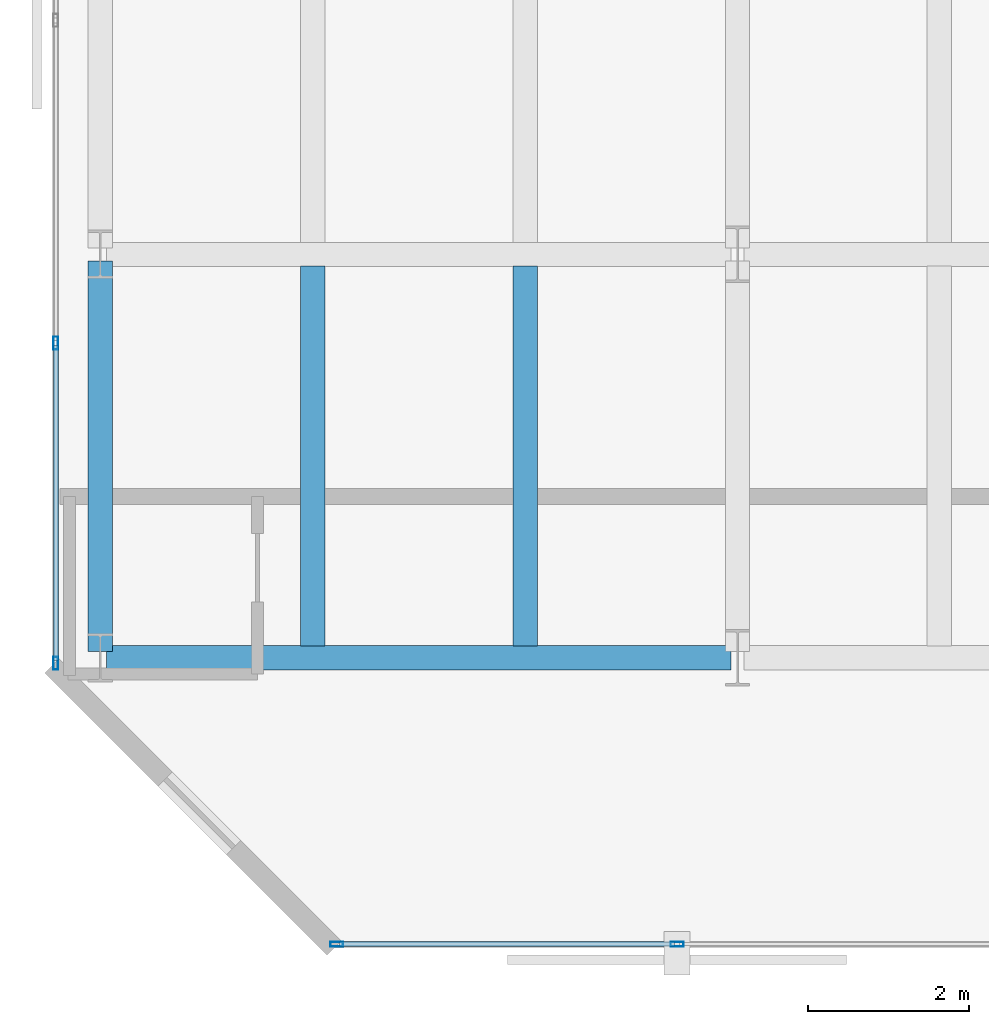
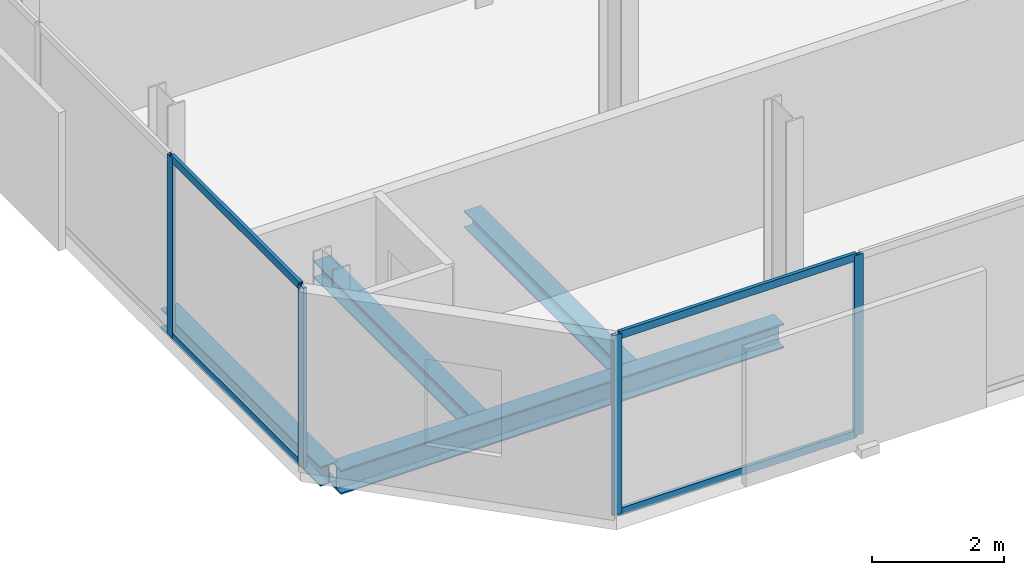
# One storey, part 3 of 32: 8 members, 4 beams, 2 elements without a shape of their own.
"""IFC4 building model written with IfcOpenShell, lengths in metres."""

from ifc_helpers import new_model, si_unit, direction, frame, origin, origin_2d, place, context, subcontext, project, spatial, hollow_rectangle, i_section, extrude, material, layer, layer_set, material_profile, profile_set, type_object, element, aggregate, save


model = new_model("IFC4")

# Units and contexts
model_context = context("Model", 3, precision=1e-05, world=origin(), true_north=direction((0.0, 1.0)))
body_context = subcontext(model_context, "Body", "Model", "MODEL_VIEW")
ifc_project = project(units=[si_unit("LENGTHUNIT", "METRE"), si_unit("AREAUNIT", "SQUARE_METRE"), si_unit("VOLUMEUNIT", "CUBIC_METRE"), si_unit("PLANEANGLEUNIT", "RADIAN"), si_unit("MASSUNIT", "GRAM", prefix="KILO")], contexts=[model_context])

# Site, building, storey
site_placement = place(None, origin())
site = spatial("IfcSite", under=ifc_project, at=site_placement, CompositionType="ELEMENT")
building_placement = place(site_placement, origin())
building = spatial("IfcBuilding", under=site, at=building_placement, Name="Catumbela Crestline Tower", CompositionType="ELEMENT")
storey_placement = place(building_placement, frame((0.0, 0.0, 133.2)))
storey = spatial("IfcBuildingStorey", under=building, at=storey_placement, Name="L34", CompositionType="ELEMENT", Elevation=133.2)

# Beams
ifc_material_1 = material(Name="Structural steel S355J2", Category="steel")
ifc_material_profile_1 = material_profile(ifc_material_1, i_section(OverallWidth=0.3, OverallDepth=0.45, WebThickness=0.014, FlangeThickness=0.026, FilletRadius=0.027, at=origin_2d()), Name="HEB 450")
ifc_profile_set_1 = profile_set([ifc_material_profile_1], Name="Structural steel S355J2")
beam_type_1 = type_object("IfcBeamType", Name="BG-HEB450", PredefinedType="BEAM", material=ifc_profile_set_1)
beam_1_placement = place(storey_placement, frame((0.68, 8.6, -0.485), z_axis=(1.0, 0.0, 0.0), x_axis=(0.0, 1.0, 0.0)))
element("IfcBeam", 1, at=beam_1_placement, inside=storey, type_object=beam_type_1, Name="L34 Beam BM-L34-WEW43", PredefinedType="BEAM", context=body_context, shape_type="SweptSolid", body=[
    extrude(i_section(OverallWidth=0.3, OverallDepth=0.45, WebThickness=0.014, FlangeThickness=0.026, FilletRadius=0.027, at=origin_2d()), origin(), (0.0, 0.0, 1.0), 7.74),
])
ifc_material_profile_2 = material_profile(ifc_material_1, i_section(OverallWidth=0.3, OverallDepth=0.31, WebThickness=0.009, FlangeThickness=0.0155, FilletRadius=0.027, at=origin_2d()), Name="HEA 320")
ifc_profile_set_2 = profile_set([ifc_material_profile_2], Name="Structural steel S355J2")
beam_type_2 = type_object("IfcBeamType", Name="BJ-HEA320", PredefinedType="JOIST", material=ifc_profile_set_2)
for number, where, z_axis, x_axis, name in (
    (2, (3.233, 8.747, -0.415), (0.0, 1.0, 0.0), (-1.0, 0.0, 0.0), "L34 Joist JS-L34-WG63"),
    (3, (5.867, 8.747, -0.415), (0.0, 1.0, 0.0), (-1.0, 0.0, 0.0), "L34 Joist JS-L34-WG64"),
):
    element("IfcBeam", number, at=place(storey_placement, frame(where, z_axis=z_axis, x_axis=x_axis)), inside=storey, type_object=beam_type_2, Name=name, PredefinedType="JOIST", context=body_context, shape_type="SweptSolid", body=[
        extrude(i_section(OverallWidth=0.3, OverallDepth=0.31, WebThickness=0.009, FlangeThickness=0.0155, FilletRadius=0.027, at=origin_2d()), origin(), (0.0, 0.0, 1.0), 4.706),
    ])

# Curtain wall, members
ifc_material_2 = material(Name="Aluminium alloy AW-6060-T66", Category="aluminium")
ifc_layer = layer(ifc_material_2, 0.18, Name="Aluminium alloy AW-6060-T66")
ifc_layer_set = layer_set([ifc_layer], Name="Aluminium alloy AW-6060-T66")
curtain_wall_type = type_object("IfcCurtainWallType", Name="CWU-Z2", PredefinedType="USERDEFINED", material=ifc_layer_set)
curtain_wall_1_placement = place(storey_placement, origin())
curtain_wall_1 = element("IfcCurtainWall", 4, at=curtain_wall_1_placement, inside=storey, type_object=curtain_wall_type, Name="L34 Unitised Curtain Wall CW-L34-E0S1", ObjectType="UNITISED", PredefinedType="USERDEFINED")
ifc_material_profile_3 = material_profile(ifc_material_2, hollow_rectangle(XDim=0.06, YDim=0.16, WallThickness=0.004, at=origin_2d()), Name="ALU 160x60x4")
ifc_profile_set_3 = profile_set([ifc_material_profile_3], Name="Aluminium alloy AW-6060-T66")
member_type_1 = type_object("IfcMemberType", Name="MUL-160X60", PredefinedType="MULLION", material=ifc_profile_set_3)
member_1_placement = place(storey_placement, frame((3.5325, 5.05, 0.0), z_axis=(0.0, 0.0, 1.0), x_axis=(0.0, 1.0, 0.0)))
member_1 = element("IfcMember", 5, at=member_1_placement, type_object=member_type_1, Name="CWU-Z2 mullion 1", PredefinedType="MULLION", context=body_context, shape_type="SweptSolid", body=[
    extrude(hollow_rectangle(XDim=0.06, YDim=0.16, WallThickness=0.004, at=origin_2d()), origin(), (0.0, 0.0, 1.0), 3.33),
])
member_2_placement = place(storey_placement, frame((7.75, 5.05, 0.0), z_axis=(0.0, 0.0, 1.0), x_axis=(0.0, 1.0, 0.0)))
member_2 = element("IfcMember", 6, at=member_2_placement, type_object=member_type_1, Name="CWU-Z2 mullion 2", PredefinedType="MULLION", context=body_context, shape_type="SweptSolid", body=[
    extrude(hollow_rectangle(XDim=0.06, YDim=0.16, WallThickness=0.004, at=origin_2d()), origin(), (0.0, 0.0, 1.0), 3.33),
])

curtain_wall_2_placement = place(storey_placement, origin())
curtain_wall_2 = element("IfcCurtainWall", 7, at=curtain_wall_2_placement, inside=storey, type_object=curtain_wall_type, Name="L34 Unitised Curtain Wall CW-L34-E9S1", ObjectType="UNITISED", PredefinedType="USERDEFINED")
member_3_placement = place(storey_placement, frame((0.05, 12.5, 0.0), z_axis=(0.0, 0.0, 1.0), x_axis=(1.0, 0.0, 0.0)))
member_3 = element("IfcMember", 8, at=member_3_placement, type_object=member_type_1, Name="CWU-Z2 mullion 9", PredefinedType="MULLION", context=body_context, shape_type="SweptSolid", body=[
    extrude(hollow_rectangle(XDim=0.06, YDim=0.16, WallThickness=0.004, at=origin_2d()), origin(), (0.0, 0.0, 1.0), 3.33),
])
member_4_placement = place(storey_placement, frame((0.05, 8.5325, 0.0), z_axis=(0.0, 0.0, 1.0), x_axis=(1.0, 0.0, 0.0)))
member_4 = element("IfcMember", 9, at=member_4_placement, type_object=member_type_1, Name="CWU-Z2 mullion 10", PredefinedType="MULLION", context=body_context, shape_type="SweptSolid", body=[
    extrude(hollow_rectangle(XDim=0.06, YDim=0.16, WallThickness=0.004, at=origin_2d()), origin(), (0.0, 0.0, 1.0), 3.33),
])

# Beam
ifc_material_profile_4 = material_profile(ifc_material_1, i_section(OverallWidth=0.3, OverallDepth=0.36, WebThickness=0.0125, FlangeThickness=0.0225, FilletRadius=0.027, at=origin_2d()), Name="HEB 360")
ifc_profile_set_4 = profile_set([ifc_material_profile_4], Name="Structural steel S355J2")
beam_type_3 = type_object("IfcBeamType", Name="BS-HEB360", PredefinedType="SPANDREL", material=ifc_profile_set_4)
beam_2_placement = place(storey_placement, frame((0.6, 8.68, -0.44), z_axis=(0.0, 1.0, 0.0), x_axis=(-1.0, 0.0, 0.0)))
element("IfcBeam", 10, at=beam_2_placement, inside=storey, type_object=beam_type_3, Name="L34 Spandrel SP-L34-WNS52", PredefinedType="SPANDREL", context=body_context, shape_type="SweptSolid", body=[
    extrude(i_section(OverallWidth=0.3, OverallDepth=0.36, WebThickness=0.0125, FlangeThickness=0.0225, FilletRadius=0.027, at=origin_2d()), origin(), (0.0, 0.0, 1.0), 4.84),
])

# Member
ifc_material_profile_5 = material_profile(ifc_material_2, hollow_rectangle(XDim=0.06, YDim=0.14, WallThickness=0.004, at=origin_2d()), Name="ALU 140x60x4")
ifc_profile_set_5 = profile_set([ifc_material_profile_5], Name="Aluminium alloy AW-6060-T66")
member_type_2 = type_object("IfcMemberType", Name="TRN-140X60", PredefinedType="USERDEFINED", material=ifc_profile_set_5)
member_5_placement = place(storey_placement, frame((3.565, 5.05, 0.03), z_axis=(1.0, 0.0, 0.0), x_axis=(0.0, 1.0, 0.0)))
member_5 = element("IfcMember", 11, at=member_5_placement, type_object=member_type_2, Name="CWU-Z2 transom 1.1", ObjectType="TRANSOM", PredefinedType="USERDEFINED", context=body_context, shape_type="SweptSolid", body=[
    extrude(hollow_rectangle(XDim=0.06, YDim=0.14, WallThickness=0.004, at=origin_2d()), origin(), (0.0, 0.0, 1.0), 4.1525),
])

member_6_placement = place(storey_placement, frame((3.565, 5.05, 3.3), z_axis=(1.0, 0.0, 0.0), x_axis=(0.0, 1.0, 0.0)))
member_6 = element("IfcMember", 12, at=member_6_placement, type_object=member_type_2, Name="CWU-Z2 transom 1.2", ObjectType="TRANSOM", PredefinedType="USERDEFINED", context=body_context, shape_type="SweptSolid", body=[
    extrude(hollow_rectangle(XDim=0.06, YDim=0.14, WallThickness=0.004, at=origin_2d()), origin(), (0.0, 0.0, 1.0), 4.1525),
])

aggregate(curtain_wall_1, [member_1, member_2, member_5, member_6])

member_7_placement = place(storey_placement, frame((0.05, 12.4675, 0.03), z_axis=(0.0, -1.0, 0.0), x_axis=(1.0, 0.0, 0.0)))
member_7 = element("IfcMember", 13, at=member_7_placement, type_object=member_type_2, Name="CWU-Z2 transom 9.1", ObjectType="TRANSOM", PredefinedType="USERDEFINED", context=body_context, shape_type="SweptSolid", body=[
    extrude(hollow_rectangle(XDim=0.06, YDim=0.14, WallThickness=0.004, at=origin_2d()), origin(), (0.0, 0.0, 1.0), 3.9025),
])

member_8_placement = place(storey_placement, frame((0.05, 12.4675, 3.3), z_axis=(0.0, -1.0, 0.0), x_axis=(1.0, 0.0, 0.0)))
member_8 = element("IfcMember", 14, at=member_8_placement, type_object=member_type_2, Name="CWU-Z2 transom 9.2", ObjectType="TRANSOM", PredefinedType="USERDEFINED", context=body_context, shape_type="SweptSolid", body=[
    extrude(hollow_rectangle(XDim=0.06, YDim=0.14, WallThickness=0.004, at=origin_2d()), origin(), (0.0, 0.0, 1.0), 3.9025),
])

aggregate(curtain_wall_2, [member_3, member_4, member_7, member_8])

save(model, "model.ifc")
